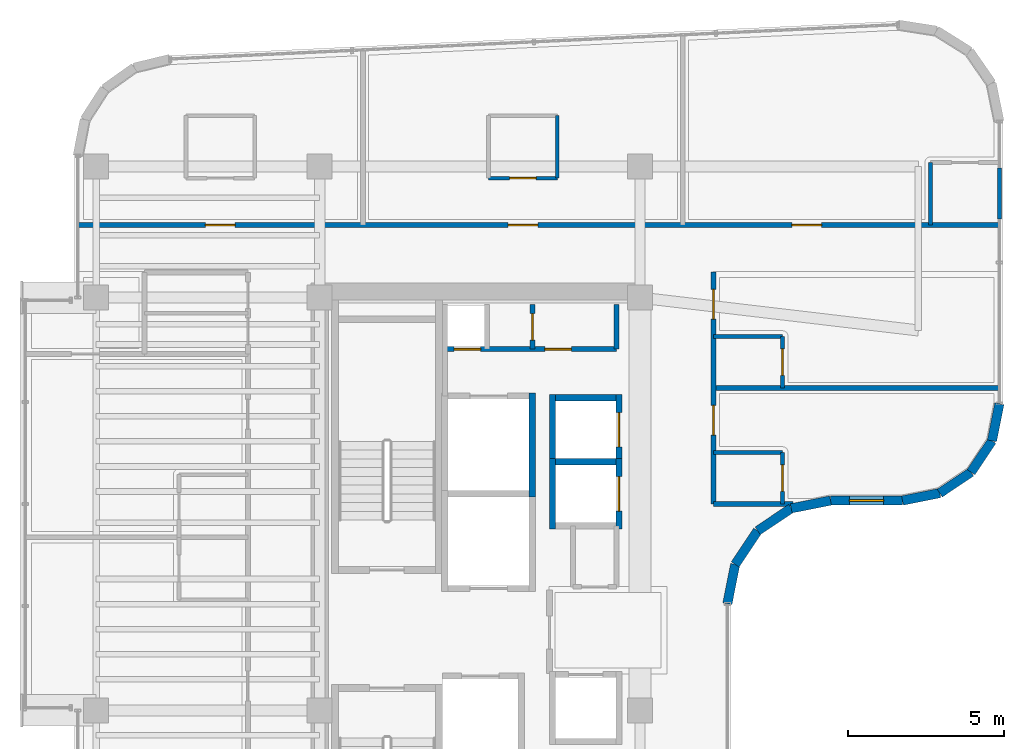
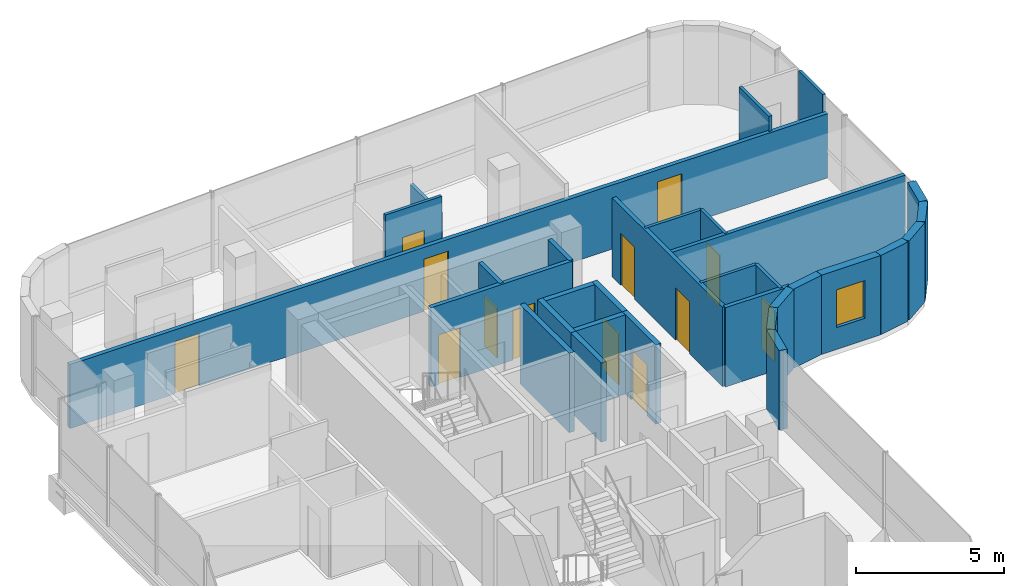
# One storey, part 16 of 20: 31 walls, 13 doors, 1 window, 14 openings.
"""IFC4 building model written with IfcOpenShell, lengths in metres."""

from ifc_helpers import new_model, si_unit, direction, frame, frame_2d, origin, place, context, subcontext, project, spatial, rectangle, extrude, material, layer, layer_set, type_object, element, fill, save


model = new_model("IFC4")

# Units and contexts
model_context = context("Model", 3, precision=1e-05, world=origin(), true_north=direction((0.0, 1.0)))
body_context = subcontext(model_context, "Body", "Model", "MODEL_VIEW")
ifc_project = project(units=[si_unit("LENGTHUNIT", "METRE"), si_unit("AREAUNIT", "SQUARE_METRE"), si_unit("VOLUMEUNIT", "CUBIC_METRE"), si_unit("PLANEANGLEUNIT", "RADIAN"), si_unit("MASSUNIT", "GRAM", prefix="KILO")], contexts=[model_context])

# Site, building, storey
site_placement = place(None, origin())
site = spatial("IfcSite", under=ifc_project, at=site_placement, CompositionType="ELEMENT")
building_placement = place(site_placement, origin())
building = spatial("IfcBuilding", under=site, at=building_placement, Name="Valdorenza Pilgrim Sanctuary Tower", CompositionType="ELEMENT")
storey_placement = place(building_placement, frame((0.0, 0.0, 240.5)))
storey = spatial("IfcBuildingStorey", under=building, at=storey_placement, Name="L62", CompositionType="ELEMENT", Elevation=240.5)

# Wall, openings, doors
ifc_material_1 = material(Name="Acoustic twin-stud gypsum partition", Category="gypsum")
ifc_layer_1 = layer(ifc_material_1, 0.159912109375, Name="Acoustic twin-stud gypsum partition")
ifc_layer_set_1 = layer_set([ifc_layer_1], Name="Acoustic twin-stud gypsum partition")
wall_type_1 = type_object("IfcWallType", Name="WAL-COR-160", PredefinedType="PARTITIONING", material=ifc_layer_set_1)
wall_1_placement = place(storey_placement, frame((-18.64990234375, 8.949951171875, 0.0), z_axis=(0.0, 0.0, 1.0), x_axis=(1.0, 0.0, 0.0)))
wall_1 = element("IfcWall", 1, at=wall_1_placement, inside=storey, type_object=wall_type_1, Name="L62 Core A North Service South Wall", PredefinedType="PARTITIONING", context=body_context, shape_type="SweptSolid", body=[
    extrude(rectangle(XDim=5.5, YDim=0.159912109375, at=frame_2d((2.75, 0.0))), origin(), (0.0, 0.0, 1.0), 3.260009765625),
])
opening_1_placement = place(wall_1_placement, frame((0.300048828125, 0.0, 0.0)))
opening_1 = element("IfcOpeningElement", 2, at=opening_1_placement, cuts=wall_1, Name="Opening DR-RS1", PredefinedType="OPENING", context=body_context, shape_type="SweptSolid", body=[
    extrude(rectangle(XDim=0.85009765625, YDim=2.050048828125, at=frame_2d((0.425048828125, 1.02490234375))), frame((0.0, 0.0947265625, 0.0), z_axis=(0.0, -1.0, 0.0), x_axis=(1.0, 0.0, 0.0)), (0.0, 0.0, 1.0), 0.189697265625),
])
opening_2_placement = place(wall_1_placement, frame((3.199951171875, 0.0, 0.0)))
opening_2 = element("IfcOpeningElement", 3, at=opening_2_placement, cuts=wall_1, Name="Opening DR-RS1", PredefinedType="OPENING", context=body_context, shape_type="SweptSolid", body=[
    extrude(rectangle(XDim=0.85009765625, YDim=2.050048828125, at=frame_2d((0.425048828125, 1.02490234375))), frame((0.0, 0.0947265625, 0.0), z_axis=(0.0, -1.0, 0.0), x_axis=(1.0, 0.0, 0.0)), (0.0, 0.0, 1.0), 0.189697265625),
])
ifc_material_2 = material(Name="Painted galvanized steel", Category="steel")
door_type_1 = type_object("IfcDoorType", Name="DR-RSR-850", OperationType="NOTDEFINED", PredefinedType="DOOR", material=ifc_material_2)
door_1_placement = place(opening_1_placement, origin())
door_1 = element("IfcDoor", 4, at=door_1_placement, inside=storey, type_object=door_type_1, Name="L62 Core Electrical and Telecom Riser Door", OperationType="SINGLE_SWING_LEFT", OverallHeight=2.050048828125, OverallWidth=0.85009765625, PredefinedType="DOOR", context=body_context, shape_type="SweptSolid", body=[
    extrude(rectangle(XDim=0.85009765625, YDim=2.050048828125, at=frame_2d((0.425048828125, 1.02490234375))), frame((0.0, 0.02490234375, 0.0), z_axis=(0.0, -1.0, 0.0), x_axis=(1.0, 0.0, 0.0)), (0.0, 0.0, 1.0), 0.050048828125),
])
fill(opening_1, door_1)
door_2_placement = place(opening_2_placement, origin())
door_2 = element("IfcDoor", 5, at=door_2_placement, inside=storey, type_object=door_type_1, Name="L62 Housekeeping and Clean Linen Room Door", OperationType="SINGLE_SWING_RIGHT", OverallHeight=2.050048828125, OverallWidth=0.85009765625, PredefinedType="DOOR", context=body_context, shape_type="SweptSolid", body=[
    extrude(rectangle(XDim=0.85009765625, YDim=2.050048828125, at=frame_2d((0.425048828125, 1.02490234375))), frame((0.0, 0.02490234375, 0.0), z_axis=(0.0, -1.0, 0.0), x_axis=(1.0, 0.0, 0.0)), (0.0, 0.0, 1.0), 0.050048828125),
])
fill(opening_2, door_2)

# Wall
wall_2_placement = place(storey_placement, frame((-13.14990234375, 8.949951171875, 0.0), z_axis=(0.0, 0.0, 1.0), x_axis=(0.0, 1.0, 0.0)))
element("IfcWall", 6, at=wall_2_placement, inside=storey, type_object=wall_type_1, Name="L62 Core A North Service East Wall", PredefinedType="PARTITIONING", context=body_context, shape_type="SweptSolid", body=[
    extrude(rectangle(XDim=1.429931640625, YDim=0.159912109375, at=frame_2d((0.71484375, 0.0))), origin(), (0.0, 0.0, 1.0), 3.260009765625),
])

# Wall, opening, door
wall_3_placement = place(storey_placement, frame((-15.85009765625, 8.949951171875, 0.0), z_axis=(0.0, 0.0, 1.0), x_axis=(0.0, 1.0, 0.0)))
wall_3 = element("IfcWall", 7, at=wall_3_placement, inside=storey, type_object=wall_type_1, Name="L62 Core A Split C", PredefinedType="PARTITIONING", context=body_context, shape_type="SweptSolid", body=[
    extrude(rectangle(XDim=1.429931640625, YDim=0.159912109375, at=frame_2d((0.71484375, 0.0))), origin(), (0.0, 0.0, 1.0), 3.260009765625),
])
opening_3_placement = place(wall_3_placement, frame((0.2900390625, 0.0, 0.0)))
opening_3 = element("IfcOpeningElement", 8, at=opening_3_placement, cuts=wall_3, Name="Opening DR-RS1", PredefinedType="OPENING", context=body_context, shape_type="SweptSolid", body=[
    extrude(rectangle(XDim=0.85009765625, YDim=2.050048828125, at=frame_2d((0.425048828125, 1.02490234375))), frame((0.0, 0.0947265625, 0.0), z_axis=(0.0, -1.0, 0.0), x_axis=(1.0, 0.0, 0.0)), (0.0, 0.0, 1.0), 0.189697265625),
])
door_3_placement = place(opening_3_placement, origin())
door_3 = element("IfcDoor", 9, at=door_3_placement, inside=storey, type_object=door_type_1, Name="L62 Clean Linen Supply Store Door", OperationType="SINGLE_SWING_LEFT", OverallHeight=2.050048828125, OverallWidth=0.85009765625, PredefinedType="DOOR", context=body_context, shape_type="SweptSolid", body=[
    extrude(rectangle(XDim=0.85009765625, YDim=2.050048828125, at=frame_2d((0.425048828125, 1.02490234375))), frame((0.0, 0.02490234375, 0.0), z_axis=(0.0, -1.0, 0.0), x_axis=(1.0, 0.0, 0.0)), (0.0, 0.0, 1.0), 0.050048828125),
])
fill(opening_3, door_3)

# Wall, openings, doors
wall_4_placement = place(storey_placement, frame((-30.389892578125, 12.919921875, 0.0), z_axis=(0.0, 0.0, 1.0), x_axis=(1.0, 0.0, 0.0)))
wall_4 = element("IfcWall", 10, at=wall_4_placement, inside=storey, type_object=wall_type_1, Name="L62 North Corridor Wall", PredefinedType="PARTITIONING", context=body_context, shape_type="SweptSolid", body=[
    extrude(rectangle(XDim=29.47998046875, YDim=0.159912109375, at=frame_2d((14.739990234375, 0.0))), origin(), (0.0, 0.0, 1.0), 2.634033203125),
])
opening_4_placement = place(wall_4_placement, frame((4.0869140625, 0.0, 0.0)))
opening_4 = element("IfcOpeningElement", 11, at=opening_4_placement, cuts=wall_4, Name="Opening DR-UN1", PredefinedType="OPENING", context=body_context, shape_type="SweptSolid", body=[
    extrude(rectangle(XDim=0.949951171875, YDim=2.14990234375, at=frame_2d((0.47509765625, 1.074951171875))), frame((0.0, 0.0947265625, 0.0), z_axis=(0.0, -1.0, 0.0), x_axis=(1.0, 0.0, 0.0)), (0.0, 0.0, 1.0), 0.189697265625),
])
opening_5_placement = place(wall_4_placement, frame((13.764892578125, 0.0, 0.0)))
opening_5 = element("IfcOpeningElement", 12, at=opening_5_placement, cuts=wall_4, Name="Opening DR-UN1", PredefinedType="OPENING", context=body_context, shape_type="SweptSolid", body=[
    extrude(rectangle(XDim=0.949951171875, YDim=2.14990234375, at=frame_2d((0.47509765625, 1.074951171875))), frame((0.0, 0.0947265625, 0.0), z_axis=(0.0, -1.0, 0.0), x_axis=(1.0, 0.0, 0.0)), (0.0, 0.0, 1.0), 0.189697265625),
])
opening_6_placement = place(wall_4_placement, frame((22.843017578125, 0.0, 0.0)))
opening_6 = element("IfcOpeningElement", 13, at=opening_6_placement, cuts=wall_4, Name="Opening DR-UN1", PredefinedType="OPENING", context=body_context, shape_type="SweptSolid", body=[
    extrude(rectangle(XDim=0.949951171875, YDim=2.14990234375, at=frame_2d((0.47509765625, 1.074951171875))), frame((0.0, 0.0947265625, 0.0), z_axis=(0.0, -1.0, 0.0), x_axis=(1.0, 0.0, 0.0)), (0.0, 0.0, 1.0), 0.189697265625),
])
ifc_material_3 = material(Name="Solid-core European oak timber", Category="wood")
door_type_2 = type_object("IfcDoorType", Name="DR-UNIT-950", OperationType="NOTDEFINED", PredefinedType="DOOR", material=ifc_material_3)
door_4_placement = place(opening_4_placement, frame((0.949951171875, 0.0, 0.0), z_axis=(0.0, 0.0, 1.0), x_axis=(-1.0, 0.0, 0.0)))
door_4 = element("IfcDoor", 14, at=door_4_placement, inside=storey, type_object=door_type_2, Name="L62 North Guest Room L62-N1 Entrance Door", OperationType="SINGLE_SWING_LEFT", OverallHeight=2.14990234375, OverallWidth=0.949951171875, PredefinedType="DOOR", context=body_context, shape_type="SweptSolid", body=[
    extrude(rectangle(XDim=0.949951171875, YDim=2.14990234375, at=frame_2d((0.47509765625, 1.074951171875))), frame((0.0, 0.02490234375, 0.0), z_axis=(0.0, -1.0, 0.0), x_axis=(1.0, 0.0, 0.0)), (0.0, 0.0, 1.0), 0.050048828125),
])
fill(opening_4, door_4)
door_5_placement = place(opening_5_placement, frame((0.949951171875, 0.0, 0.0), z_axis=(0.0, 0.0, 1.0), x_axis=(-1.0, 0.0, 0.0)))
door_5 = element("IfcDoor", 15, at=door_5_placement, inside=storey, type_object=door_type_2, Name="L62 North Guest Room L62-N2 Entrance Door", OperationType="SINGLE_SWING_LEFT", OverallHeight=2.14990234375, OverallWidth=0.949951171875, PredefinedType="DOOR", context=body_context, shape_type="SweptSolid", body=[
    extrude(rectangle(XDim=0.949951171875, YDim=2.14990234375, at=frame_2d((0.47509765625, 1.074951171875))), frame((0.0, 0.02490234375, 0.0), z_axis=(0.0, -1.0, 0.0), x_axis=(1.0, 0.0, 0.0)), (0.0, 0.0, 1.0), 0.050048828125),
])
fill(opening_5, door_5)
door_6_placement = place(opening_6_placement, frame((0.949951171875, 0.0, 0.0), z_axis=(0.0, 0.0, 1.0), x_axis=(-1.0, 0.0, 0.0)))
door_6 = element("IfcDoor", 16, at=door_6_placement, inside=storey, type_object=door_type_2, Name="L62 North Guest Room L62-N3 Entrance Door", OperationType="SINGLE_SWING_LEFT", OverallHeight=2.14990234375, OverallWidth=0.949951171875, PredefinedType="DOOR", context=body_context, shape_type="SweptSolid", body=[
    extrude(rectangle(XDim=0.949951171875, YDim=2.14990234375, at=frame_2d((0.47509765625, 1.074951171875))), frame((0.0, 0.02490234375, 0.0), z_axis=(0.0, -1.0, 0.0), x_axis=(1.0, 0.0, 0.0)), (0.0, 0.0, 1.0), 0.050048828125),
])
fill(opening_6, door_6)

wall_5_placement = place(storey_placement, frame((-10.050048828125, 4.0, 0.0), z_axis=(0.0, 0.0, 1.0), x_axis=(0.0, 1.0, 0.0)))
wall_5 = element("IfcWall", 17, at=wall_5_placement, inside=storey, type_object=wall_type_1, Name="L62 East Stub Corridor Wall", PredefinedType="PARTITIONING", context=body_context, shape_type="SweptSolid", body=[
    extrude(rectangle(XDim=7.419921875, YDim=0.159912109375, at=frame_2d((3.7099609375, 0.0))), origin(), (0.0, 0.0, 1.0), 3.260009765625),
])
opening_7_placement = place(wall_5_placement, frame((2.205078125, 0.0, 0.0)))
opening_7 = element("IfcOpeningElement", 18, at=opening_7_placement, cuts=wall_5, Name="Opening DR-UN1", PredefinedType="OPENING", context=body_context, shape_type="SweptSolid", body=[
    extrude(rectangle(XDim=0.949951171875, YDim=2.14990234375, at=frame_2d((0.47509765625, 1.074951171875))), frame((0.0, 0.0947265625, 0.0), z_axis=(0.0, -1.0, 0.0), x_axis=(1.0, 0.0, 0.0)), (0.0, 0.0, 1.0), 0.189697265625),
])
opening_8_placement = place(wall_5_placement, frame((5.9150390625, 0.0, 0.0)))
opening_8 = element("IfcOpeningElement", 19, at=opening_8_placement, cuts=wall_5, Name="Opening DR-UN1", PredefinedType="OPENING", context=body_context, shape_type="SweptSolid", body=[
    extrude(rectangle(XDim=0.949951171875, YDim=2.14990234375, at=frame_2d((0.47509765625, 1.074951171875))), frame((0.0, 0.0947265625, 0.0), z_axis=(0.0, -1.0, 0.0), x_axis=(1.0, 0.0, 0.0)), (0.0, 0.0, 1.0), 0.189697265625),
])
door_7_placement = place(opening_7_placement, frame((0.949951171875, 0.0, 0.0), z_axis=(0.0, 0.0, 1.0), x_axis=(-1.0, 0.0, 0.0)))
door_7 = element("IfcDoor", 20, at=door_7_placement, inside=storey, type_object=door_type_2, Name="L62 East Sanctuary Guest Room L62-E1 Entrance Door", OperationType="SINGLE_SWING_LEFT", OverallHeight=2.14990234375, OverallWidth=0.949951171875, PredefinedType="DOOR", context=body_context, shape_type="SweptSolid", body=[
    extrude(rectangle(XDim=0.949951171875, YDim=2.14990234375, at=frame_2d((0.47509765625, 1.074951171875))), frame((0.0, 0.02490234375, 0.0), z_axis=(0.0, -1.0, 0.0), x_axis=(1.0, 0.0, 0.0)), (0.0, 0.0, 1.0), 0.050048828125),
])
fill(opening_7, door_7)
door_8_placement = place(opening_8_placement, frame((0.949951171875, 0.0, 0.0), z_axis=(0.0, 0.0, 1.0), x_axis=(-1.0, 0.0, 0.0)))
door_8 = element("IfcDoor", 21, at=door_8_placement, inside=storey, type_object=door_type_2, Name="L62 East Sanctuary Guest Room L62-E2 Entrance Door", OperationType="SINGLE_SWING_LEFT", OverallHeight=2.14990234375, OverallWidth=0.949951171875, PredefinedType="DOOR", context=body_context, shape_type="SweptSolid", body=[
    extrude(rectangle(XDim=0.949951171875, YDim=2.14990234375, at=frame_2d((0.47509765625, 1.074951171875))), frame((0.0, 0.02490234375, 0.0), z_axis=(0.0, -1.0, 0.0), x_axis=(1.0, 0.0, 0.0)), (0.0, 0.0, 1.0), 0.050048828125),
])
fill(opening_8, door_8)

# Walls
wall_6_placement = place(storey_placement, frame((-10.050048828125, 4.0, 0.0), z_axis=(0.0, 0.0, 1.0), x_axis=(1.0, 0.0, 0.0)))
element("IfcWall", 22, at=wall_6_placement, inside=storey, type_object=wall_type_1, Name="L62 East Stub South Wall", PredefinedType="PARTITIONING", context=body_context, shape_type="SweptSolid", body=[
    extrude(rectangle(XDim=2.545654296875, YDim=0.159912109375, at=frame_2d((1.27294921875, 0.0))), origin(), (0.0, 0.0, 1.0), 3.260009765625),
])
ifc_material_4 = material(Name="Honed travertine limestone", Category="masonry")
ifc_layer_2 = layer(ifc_material_4, 0.300048828125, Name="Honed travertine limestone")
ifc_layer_set_2 = layer_set([ifc_layer_2], Name="Honed travertine limestone")
wall_type_2 = type_object("IfcWallType", Name="WAL-EXT-300", PredefinedType="SOLIDWALL", material=ifc_layer_set_2)
wall_7_placement = place(storey_placement, frame((-0.909912109375, 7.210693359375, 0.0), z_axis=(0.0, 0.0, 1.0), x_axis=(-0.195189223115, -0.980765602568, 0.0)))
element("IfcWall", 23, at=wall_7_placement, inside=storey, type_object=wall_type_2, Name="L62 Rounded Wind-Corner Stone Pier 12", PredefinedType="SOLIDWALL", context=body_context, shape_type="SweptSolid", body=[
    extrude(rectangle(XDim=1.2158203125, YDim=0.300048828125, at=frame_2d((0.60791015625, 0.0))), origin(), (0.0, 0.0, 1.0), 3.260009765625),
])
for number, where, z_axis, x_axis, name in (
    (24, (-1.147216796875, 6.018310546875, 0.0), (0.0, 0.0, 1.0), (-0.555635100982, -0.831426265255, 0.0), "L62 Rounded Wind-Corner Stone Pier 13"),
    (25, (-1.816650390625, 5.0166015625, 0.0), (0.0, 0.0, 1.0), (-0.831426265255, -0.555635100982, 0.0), "L62 Rounded Wind-Corner Stone Pier 14"),
):
    element("IfcWall", number, at=place(storey_placement, frame(where, z_axis=z_axis, x_axis=x_axis)), inside=storey, type_object=wall_type_2, Name=name, PredefinedType="SOLIDWALL", context=body_context, shape_type="SweptSolid", body=[
        extrude(rectangle(XDim=1.204833984375, YDim=0.300048828125, at=frame_2d((0.6025390625, 0.0))), origin(), (0.0, 0.0, 1.0), 3.260009765625),
    ])
wall_8_placement = place(storey_placement, frame((-2.818359375, 4.34716796875, 0.0), z_axis=(0.0, 0.0, 1.0), x_axis=(-0.980804027463, -0.194996050505, 0.0)))
element("IfcWall", 26, at=wall_8_placement, inside=storey, type_object=wall_type_2, Name="L62 Rounded Wind-Corner Stone Pier 15", PredefinedType="SOLIDWALL", context=body_context, shape_type="SweptSolid", body=[
    extrude(rectangle(XDim=1.2158203125, YDim=0.300048828125, at=frame_2d((0.60791015625, 0.0))), origin(), (0.0, 0.0, 1.0), 3.260009765625),
])

# Wall, opening, window
wall_9_placement = place(storey_placement, frame((-4.0107421875, 4.110107421875, 0.0), z_axis=(0.0, 0.0, 1.0), x_axis=(-1.0, 0.0, 0.0)))
wall_9 = element("IfcWall", 27, at=wall_9_placement, inside=storey, type_object=wall_type_2, Name="L62 Rounded Wind-Corner Stone Pier 16", PredefinedType="SOLIDWALL", context=body_context, shape_type="SweptSolid", body=[
    extrude(rectangle(XDim=2.300048828125, YDim=0.300048828125, at=frame_2d((1.14990234375, 0.0))), origin(), (0.0, 0.0, 1.0), 3.260009765625),
])
opening_9_placement = place(wall_9_placement, frame((0.60009765625, 0.0, 0.89990234375)))
opening_9 = element("IfcOpeningElement", 28, at=opening_9_placement, cuts=wall_9, Name="Opening WN-CR1", PredefinedType="OPENING", context=body_context, shape_type="SweptSolid", body=[
    extrude(rectangle(XDim=1.10009765625, YDim=1.550048828125, at=frame_2d((0.550048828125, 0.77490234375))), frame((0.0, 0.1650390625, 0.0), z_axis=(0.0, -1.0, 0.0), x_axis=(1.0, 0.0, 0.0)), (0.0, 0.0, 1.0), 0.329833984375),
])
ifc_material_5 = material(Name="Ceramic-fritted low-E IGU glazing", Category="glass")
window_type = type_object("IfcWindowType", Name="WIN-CRN-1200", PartitioningType="SINGLE_PANEL", PredefinedType="WINDOW", material=ifc_material_5)
window_placement = place(opening_9_placement, origin())
window = element("IfcWindow", 29, at=window_placement, inside=storey, type_object=window_type, Name="L62 Rounded Corner Slot Window 16", OverallHeight=1.550048828125, OverallWidth=1.10009765625, PartitioningType="SINGLE_PANEL", PredefinedType="WINDOW", context=body_context, shape_type="SweptSolid", body=[
    extrude(rectangle(XDim=1.10009765625, YDim=1.550048828125, at=frame_2d((0.550048828125, 0.77490234375))), frame((0.0, 0.030029296875, 0.0), z_axis=(0.0, -1.0, 0.0), x_axis=(1.0, 0.0, 0.0)), (0.0, 0.0, 1.0), 0.06005859375),
])
fill(opening_9, window)

# Walls
wall_10_placement = place(storey_placement, frame((-6.310791015625, 4.110107421875, 0.0), z_axis=(0.0, 0.0, 1.0), x_axis=(-0.980778058848, -0.195126623715, 0.0)))
element("IfcWall", 30, at=wall_10_placement, inside=storey, type_object=wall_type_2, Name="L62 Rounded Wind-Corner Stone Pier 17", PredefinedType="SOLIDWALL", context=body_context, shape_type="SweptSolid", body=[
    extrude(rectangle(XDim=1.28125, YDim=0.300048828125, at=frame_2d((0.640625, 0.0))), origin(), (0.0, 0.0, 1.0), 3.260009765625),
])
for number, where, z_axis, x_axis, name in (
    (31, (-7.5673828125, 3.860107421875, 0.0), (0.0, 0.0, 1.0), (-0.831497739511, -0.555528135371, 0.0), "L62 Rounded Wind-Corner Stone Pier 18"),
    (32, (-8.64208984375, 3.14208984375, 0.0), (0.0, 0.0, 1.0), (-0.555528135371, -0.831497739511, 0.0), "L62 Rounded Wind-Corner Stone Pier 19"),
):
    element("IfcWall", number, at=place(storey_placement, frame(where, z_axis=z_axis, x_axis=x_axis)), inside=storey, type_object=wall_type_2, Name=name, PredefinedType="SOLIDWALL", context=body_context, shape_type="SweptSolid", body=[
        extrude(rectangle(XDim=1.29248046875, YDim=0.300048828125, at=frame_2d((0.646240234375, 0.0))), origin(), (0.0, 0.0, 1.0), 3.260009765625),
    ])
wall_11_placement = place(storey_placement, frame((-9.360107421875, 2.0673828125, 0.0), z_axis=(0.0, 0.0, 1.0), x_axis=(-0.195126623715, -0.980778058848, 0.0)))
element("IfcWall", 33, at=wall_11_placement, inside=storey, type_object=wall_type_2, Name="L62 Rounded Wind-Corner Stone Pier 20", PredefinedType="SOLIDWALL", context=body_context, shape_type="SweptSolid", body=[
    extrude(rectangle(XDim=1.28125, YDim=0.300048828125, at=frame_2d((0.640625, 0.0))), origin(), (0.0, 0.0, 1.0), 3.260009765625),
])
ifc_material_6 = material(Name="Moisture-resistant gypsum partition", Category="gypsum")
ifc_layer_3 = layer(ifc_material_6, 0.1201171875, Name="Moisture-resistant gypsum partition")
ifc_layer_set_3 = layer_set([ifc_layer_3], Name="Moisture-resistant gypsum partition")
wall_type_3 = type_object("IfcWallType", Name="WAL-INT-120", PredefinedType="PARTITIONING", material=ifc_layer_set_3)
wall_12_placement = place(storey_placement, frame((-15.050048828125, 14.419921875, 0.0), z_axis=(0.0, 0.0, 1.0), x_axis=(0.0, 1.0, 0.0)))
element("IfcWall", 34, at=wall_12_placement, inside=storey, type_object=wall_type_3, Name="L62 North Guest Room L62-N2 En-suite East Wall", PredefinedType="PARTITIONING", context=body_context, shape_type="SweptSolid", body=[
    extrude(rectangle(XDim=2.0, YDim=0.1201171875, at=frame_2d((1.0, 0.0))), origin(), (0.0, 0.0, 1.0), 2.5439453125),
])

# Wall, opening, door
wall_13_placement = place(storey_placement, frame((-17.25, 14.419921875, 0.0), z_axis=(0.0, 0.0, 1.0), x_axis=(1.0, 0.0, 0.0)))
wall_13 = element("IfcWall", 35, at=wall_13_placement, inside=storey, type_object=wall_type_3, Name="L62 North Guest Room L62-N2 En-suite Door Wall", PredefinedType="PARTITIONING", context=body_context, shape_type="SweptSolid", body=[
    extrude(rectangle(XDim=2.199951171875, YDim=0.1201171875, at=frame_2d((1.10009765625, 0.0))), origin(), (0.0, 0.0, 1.0), 3.260009765625),
])
opening_10_placement = place(wall_13_placement, frame((0.675048828125, 0.0, 0.0)))
opening_10 = element("IfcOpeningElement", 36, at=opening_10_placement, cuts=wall_13, Name="Opening DR-WC1", PredefinedType="OPENING", context=body_context, shape_type="SweptSolid", body=[
    extrude(rectangle(XDim=0.85009765625, YDim=2.10009765625, at=frame_2d((0.425048828125, 1.050048828125))), frame((0.0, 0.074951171875, 0.0), z_axis=(0.0, -1.0, 0.0), x_axis=(1.0, 0.0, 0.0)), (0.0, 0.0, 1.0), 0.14990234375),
])
ifc_material_7 = material(Name="Moisture-resistant lacquered timber", Category="wood")
door_type_3 = type_object("IfcDoorType", Name="DR-BATH-850", OperationType="NOTDEFINED", PredefinedType="DOOR", material=ifc_material_7)
door_9_placement = place(opening_10_placement, origin())
door_9 = element("IfcDoor", 37, at=door_9_placement, inside=storey, type_object=door_type_3, Name="L62 North Guest Room L62-N2 En-suite Bathroom Door", OperationType="SINGLE_SWING_RIGHT", OverallHeight=2.10009765625, OverallWidth=0.85009765625, PredefinedType="DOOR", context=body_context, shape_type="SweptSolid", body=[
    extrude(rectangle(XDim=0.85009765625, YDim=2.10009765625, at=frame_2d((0.425048828125, 1.050048828125))), frame((0.0, 0.02490234375, 0.0), z_axis=(0.0, -1.0, 0.0), x_axis=(1.0, 0.0, 0.0)), (0.0, 0.0, 1.0), 0.050048828125),
])
fill(opening_10, door_9)

# Walls
wall_14_placement = place(storey_placement, frame((-3.110107421875, 12.919921875, 0.0), z_axis=(0.0, 0.0, 1.0), x_axis=(0.0, 1.0, 0.0)))
element("IfcWall", 38, at=wall_14_placement, inside=storey, type_object=wall_type_3, Name="L62 North Guest Room L62-N3 En-suite West Wall", PredefinedType="PARTITIONING", context=body_context, shape_type="SweptSolid", body=[
    extrude(rectangle(XDim=2.0, YDim=0.1201171875, at=frame_2d((1.0, 0.0))), origin(), (0.0, 0.0, 1.0), 3.260009765625),
])
wall_15_placement = place(storey_placement, frame((-0.909912109375, 13.1201171875, 0.0), z_axis=(0.0, 0.0, 1.0), x_axis=(0.0, 1.0, 0.0)))
element("IfcWall", 39, at=wall_15_placement, inside=storey, type_object=wall_type_3, Name="L62 NW-G3-ENS Enclosure Wall E", PredefinedType="PARTITIONING", context=body_context, shape_type="SweptSolid", body=[
    extrude(rectangle(XDim=1.619873046875, YDim=0.1201171875, at=frame_2d((0.81005859375, 0.0))), origin(), (0.0, 0.0, 1.0), 3.260009765625),
])
wall_16_placement = place(storey_placement, frame((-10.050048828125, 5.64990234375, 0.0), z_axis=(0.0, 0.0, 1.0), x_axis=(1.0, 0.0, 0.0)))
element("IfcWall", 40, at=wall_16_placement, inside=storey, type_object=wall_type_3, Name="L62 East Sanctuary Guest Room L62-E1 En-suite North Wall", PredefinedType="PARTITIONING", context=body_context, shape_type="SweptSolid", body=[
    extrude(rectangle(XDim=2.199951171875, YDim=0.1201171875, at=frame_2d((1.10009765625, 0.0))), origin(), (0.0, 0.0, 1.0), 3.260009765625),
])

# Wall, opening, door
wall_17_placement = place(storey_placement, frame((-7.85009765625, 4.0, 0.0), z_axis=(0.0, 0.0, 1.0), x_axis=(0.0, 1.0, 0.0)))
wall_17 = element("IfcWall", 41, at=wall_17_placement, inside=storey, type_object=wall_type_3, Name="L62 East Sanctuary Guest Room L62-E1 En-suite Door Wall", PredefinedType="PARTITIONING", context=body_context, shape_type="SweptSolid", body=[
    extrude(rectangle(XDim=1.64990234375, YDim=0.1201171875, at=frame_2d((0.824951171875, 0.0))), origin(), (0.0, 0.0, 1.0), 3.260009765625),
])
opening_11_placement = place(wall_17_placement, frame((0.39990234375, 0.0, 0.0)))
opening_11 = element("IfcOpeningElement", 42, at=opening_11_placement, cuts=wall_17, Name="Opening DR-WC1", PredefinedType="OPENING", context=body_context, shape_type="SweptSolid", body=[
    extrude(rectangle(XDim=0.85009765625, YDim=2.10009765625, at=frame_2d((0.425048828125, 1.050048828125))), frame((0.0, 0.074951171875, 0.0), z_axis=(0.0, -1.0, 0.0), x_axis=(1.0, 0.0, 0.0)), (0.0, 0.0, 1.0), 0.14990234375),
])
door_10_placement = place(opening_11_placement, origin())
door_10 = element("IfcDoor", 43, at=door_10_placement, inside=storey, type_object=door_type_3, Name="L62 East Sanctuary Guest Room L62-E1 En-suite Bathroom Door", OperationType="SINGLE_SWING_RIGHT", OverallHeight=2.10009765625, OverallWidth=0.85009765625, PredefinedType="DOOR", context=body_context, shape_type="SweptSolid", body=[
    extrude(rectangle(XDim=0.85009765625, YDim=2.10009765625, at=frame_2d((0.425048828125, 1.050048828125))), frame((0.0, 0.02490234375, 0.0), z_axis=(0.0, -1.0, 0.0), x_axis=(1.0, 0.0, 0.0)), (0.0, 0.0, 1.0), 0.050048828125),
])
fill(opening_11, door_10)

# Wall
wall_18_placement = place(storey_placement, frame((-10.050048828125, 9.360107421875, 0.0), z_axis=(0.0, 0.0, 1.0), x_axis=(1.0, 0.0, 0.0)))
element("IfcWall", 44, at=wall_18_placement, inside=storey, type_object=wall_type_3, Name="L62 East Sanctuary Guest Room L62-E2 En-suite North Wall", PredefinedType="PARTITIONING", context=body_context, shape_type="SweptSolid", body=[
    extrude(rectangle(XDim=2.199951171875, YDim=0.1201171875, at=frame_2d((1.10009765625, 0.0))), origin(), (0.0, 0.0, 1.0), 3.260009765625),
])

# Wall, opening, door
wall_19_placement = place(storey_placement, frame((-7.85009765625, 7.7099609375, 0.0), z_axis=(0.0, 0.0, 1.0), x_axis=(0.0, 1.0, 0.0)))
wall_19 = element("IfcWall", 45, at=wall_19_placement, inside=storey, type_object=wall_type_3, Name="L62 East Sanctuary Guest Room L62-E2 En-suite Door Wall", PredefinedType="PARTITIONING", context=body_context, shape_type="SweptSolid", body=[
    extrude(rectangle(XDim=1.650146484375, YDim=0.1201171875, at=frame_2d((0.8251953125, 0.0))), origin(), (0.0, 0.0, 1.0), 3.260009765625),
])
opening_12_placement = place(wall_19_placement, frame((0.39990234375, 0.0, 0.0)))
opening_12 = element("IfcOpeningElement", 46, at=opening_12_placement, cuts=wall_19, Name="Opening DR-WC1", PredefinedType="OPENING", context=body_context, shape_type="SweptSolid", body=[
    extrude(rectangle(XDim=0.85009765625, YDim=2.10009765625, at=frame_2d((0.425048828125, 1.050048828125))), frame((0.0, 0.074951171875, 0.0), z_axis=(0.0, -1.0, 0.0), x_axis=(1.0, 0.0, 0.0)), (0.0, 0.0, 1.0), 0.14990234375),
])
door_11_placement = place(opening_12_placement, origin())
door_11 = element("IfcDoor", 47, at=door_11_placement, inside=storey, type_object=door_type_3, Name="L62 East Sanctuary Guest Room L62-E2 En-suite Bathroom Door", OperationType="SINGLE_SWING_RIGHT", OverallHeight=2.10009765625, OverallWidth=0.85009765625, PredefinedType="DOOR", context=body_context, shape_type="SweptSolid", body=[
    extrude(rectangle(XDim=0.85009765625, YDim=2.10009765625, at=frame_2d((0.425048828125, 1.050048828125))), frame((0.0, 0.02490234375, 0.0), z_axis=(0.0, -1.0, 0.0), x_axis=(1.0, 0.0, 0.0)), (0.0, 0.0, 1.0), 0.050048828125),
])
fill(opening_12, door_11)

# Walls
ifc_material_8 = material(Name="Autoclaved aerated concrete blockwork", Category="masonry")
ifc_layer_4 = layer(ifc_material_8, 0.199951171875, Name="Autoclaved aerated concrete blockwork")
ifc_layer_set_4 = layer_set([ifc_layer_4], Name="Autoclaved aerated concrete blockwork")
wall_type_4 = type_object("IfcWallType", Name="WAL-SHF-200", PredefinedType="MOVABLE", material=ifc_layer_set_4)
wall_20_placement = place(storey_placement, frame((-15.85009765625, 4.22509765625, 0.0), z_axis=(0.0, 0.0, 1.0), x_axis=(0.0, 1.0, 0.0)))
element("IfcWall", 48, at=wall_20_placement, inside=storey, type_object=wall_type_4, Name="L62 Lift SVL-01 Hoistway Wall East", PredefinedType="MOVABLE", context=body_context, shape_type="SweptSolid", body=[
    extrude(rectangle(XDim=3.324951171875, YDim=0.199951171875, at=frame_2d((1.66259765625, 0.0))), origin(), (0.0, 0.0, 1.0), 3.260009765625),
])
wall_21_placement = place(storey_placement, frame((-15.199951171875, 3.199951171875, 0.0), z_axis=(0.0, 0.0, 1.0), x_axis=(0.0, 1.0, 0.0)))
element("IfcWall", 49, at=wall_21_placement, inside=storey, type_object=wall_type_4, Name="L62 Lift PL-09 Hoistway Wall West", PredefinedType="MOVABLE", context=body_context, shape_type="SweptSolid", body=[
    extrude(rectangle(XDim=2.25, YDim=0.199951171875, at=frame_2d((1.125, 0.0))), origin(), (0.0, 0.0, 1.0), 3.260009765625),
])

# Wall, opening, door
wall_22_placement = place(storey_placement, frame((-13.080078125, 3.199951171875, 0.0), z_axis=(0.0, 0.0, 1.0), x_axis=(0.0, 1.0, 0.0)))
wall_22 = element("IfcWall", 50, at=wall_22_placement, inside=storey, type_object=wall_type_4, Name="L62 Lift PL-09 Hoistway Wall East", PredefinedType="MOVABLE", context=body_context, shape_type="SweptSolid", body=[
    extrude(rectangle(XDim=2.25, YDim=0.199951171875, at=frame_2d((1.125, 0.0))), origin(), (0.0, 0.0, 1.0), 3.260009765625),
])
opening_13_placement = place(wall_22_placement, frame((0.574951171875, 0.0, 0.0)))
opening_13 = element("IfcOpeningElement", 51, at=opening_13_placement, cuts=wall_22, Name="Opening LD-01", PredefinedType="OPENING", context=body_context, shape_type="SweptSolid", body=[
    extrude(rectangle(XDim=1.10009765625, YDim=2.10009765625, at=frame_2d((0.550048828125, 1.050048828125))), frame((0.0, 0.11474609375, 0.0), z_axis=(0.0, -1.0, 0.0), x_axis=(1.0, 0.0, 0.0)), (0.0, 0.0, 1.0), 0.229736328125),
])
ifc_material_9 = material(Name="Brushed stainless steel Grade 316", Category="steel")
door_type_4 = type_object("IfcDoorType", Name="DR-LFT-1100", OperationType="DOUBLE_DOOR_SLIDING", PredefinedType="DOOR", material=ifc_material_9)
door_12_placement = place(opening_13_placement, origin())
door_12 = element("IfcDoor", 52, at=door_12_placement, inside=storey, type_object=door_type_4, Name="L62 Lift PL-09 Sliding Landing Door", OperationType="DOUBLE_DOOR_SLIDING", OverallHeight=2.10009765625, OverallWidth=1.10009765625, PredefinedType="DOOR", context=body_context, shape_type="SweptSolid", body=[
    extrude(rectangle(XDim=1.10009765625, YDim=2.10009765625, at=frame_2d((0.550048828125, 1.050048828125))), frame((0.0, 0.02490234375, 0.0), z_axis=(0.0, -1.0, 0.0), x_axis=(1.0, 0.0, 0.0)), (0.0, 0.0, 1.0), 0.050048828125),
])
fill(opening_13, door_12)

# Walls
wall_23_placement = place(storey_placement, frame((-15.10009765625, 5.35009765625, 0.0), z_axis=(0.0, 0.0, 1.0), x_axis=(1.0, 0.0, 0.0)))
element("IfcWall", 53, at=wall_23_placement, inside=storey, type_object=wall_type_4, Name="L62 Lift PL-09 Hoistway Wall North", PredefinedType="MOVABLE", context=body_context, shape_type="SweptSolid", body=[
    extrude(rectangle(XDim=1.920166015625, YDim=0.199951171875, at=frame_2d((0.9599609375, 0.0))), origin(), (0.0, 0.0, 1.0), 3.260009765625),
])
wall_24_placement = place(storey_placement, frame((-15.199951171875, 5.25, 0.0), z_axis=(0.0, 0.0, 1.0), x_axis=(0.0, 1.0, 0.0)))
element("IfcWall", 54, at=wall_24_placement, inside=storey, type_object=wall_type_4, Name="L62 Lift PL-10 Hoistway Wall West", PredefinedType="MOVABLE", context=body_context, shape_type="SweptSolid", body=[
    extrude(rectangle(XDim=2.25, YDim=0.199951171875, at=frame_2d((1.125, 0.0))), origin(), (0.0, 0.0, 1.0), 3.260009765625),
])

# Wall, opening, door
wall_25_placement = place(storey_placement, frame((-13.080078125, 5.25, 0.0), z_axis=(0.0, 0.0, 1.0), x_axis=(0.0, 1.0, 0.0)))
wall_25 = element("IfcWall", 55, at=wall_25_placement, inside=storey, type_object=wall_type_4, Name="L62 Lift PL-10 Hoistway Wall East", PredefinedType="MOVABLE", context=body_context, shape_type="SweptSolid", body=[
    extrude(rectangle(XDim=2.25, YDim=0.199951171875, at=frame_2d((1.125, 0.0))), origin(), (0.0, 0.0, 1.0), 3.260009765625),
])
opening_14_placement = place(wall_25_placement, frame((0.574951171875, 0.0, 0.0)))
opening_14 = element("IfcOpeningElement", 56, at=opening_14_placement, cuts=wall_25, Name="Opening LD-01", PredefinedType="OPENING", context=body_context, shape_type="SweptSolid", body=[
    extrude(rectangle(XDim=1.10009765625, YDim=2.10009765625, at=frame_2d((0.550048828125, 1.050048828125))), frame((0.0, 0.11474609375, 0.0), z_axis=(0.0, -1.0, 0.0), x_axis=(1.0, 0.0, 0.0)), (0.0, 0.0, 1.0), 0.229736328125),
])
door_13_placement = place(opening_14_placement, origin())
door_13 = element("IfcDoor", 57, at=door_13_placement, inside=storey, type_object=door_type_4, Name="L62 Lift PL-10 Sliding Landing Door", OperationType="DOUBLE_DOOR_SLIDING", OverallHeight=2.10009765625, OverallWidth=1.10009765625, PredefinedType="DOOR", context=body_context, shape_type="SweptSolid", body=[
    extrude(rectangle(XDim=1.10009765625, YDim=2.10009765625, at=frame_2d((0.550048828125, 1.050048828125))), frame((0.0, 0.02490234375, 0.0), z_axis=(0.0, -1.0, 0.0), x_axis=(1.0, 0.0, 0.0)), (0.0, 0.0, 1.0), 0.050048828125),
])
fill(opening_14, door_13)

# Walls
wall_26_placement = place(storey_placement, frame((-15.10009765625, 7.39990234375, 0.0), z_axis=(0.0, 0.0, 1.0), x_axis=(1.0, 0.0, 0.0)))
element("IfcWall", 58, at=wall_26_placement, inside=storey, type_object=wall_type_4, Name="L62 Lift PL-10 Hoistway Wall North", PredefinedType="MOVABLE", context=body_context, shape_type="SweptSolid", body=[
    extrude(rectangle(XDim=1.920166015625, YDim=0.199951171875, at=frame_2d((0.9599609375, 0.0))), origin(), (0.0, 0.0, 1.0), 3.260009765625),
])
ifc_layer_5 = layer(ifc_material_1, 0.14990234375, Name="Acoustic twin-stud gypsum partition")
ifc_layer_set_5 = layer_set([ifc_layer_5], Name="Acoustic twin-stud gypsum partition")
wall_type_5 = type_object("IfcWallType", Name="WAL-UNT-150", PredefinedType="PARTITIONING", material=ifc_layer_set_5)
wall_27_placement = place(storey_placement, frame((-10.050048828125, 7.7099609375, 0.0), z_axis=(0.0, 0.0, 1.0), x_axis=(1.0, 0.0, 0.0)))
element("IfcWall", 59, at=wall_27_placement, inside=storey, type_object=wall_type_5, Name="L62 East Stub Demising Wall", PredefinedType="PARTITIONING", context=body_context, shape_type="SweptSolid", body=[
    extrude(rectangle(XDim=9.14013671875, YDim=0.14990234375, at=frame_2d((4.570068359375, 0.0))), origin(), (0.0, 0.0, 1.0), 3.260009765625),
])

save(model, "model.ifc")
